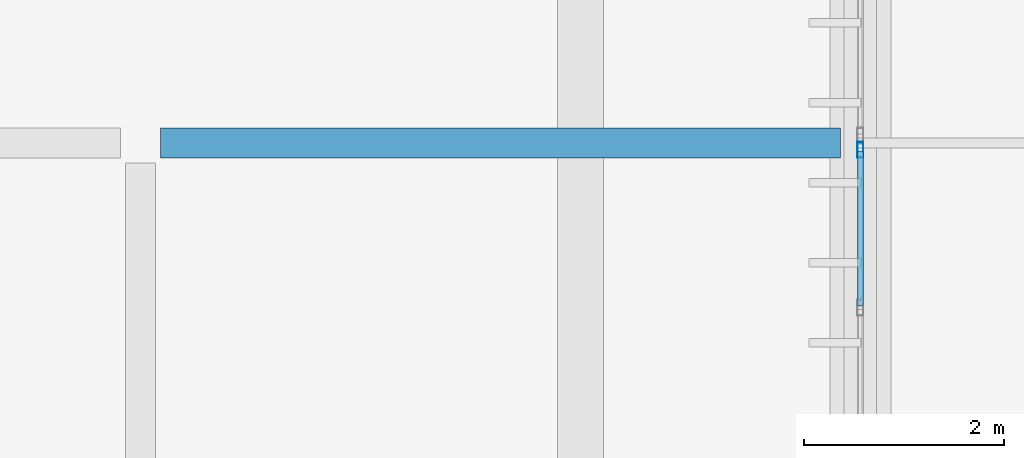
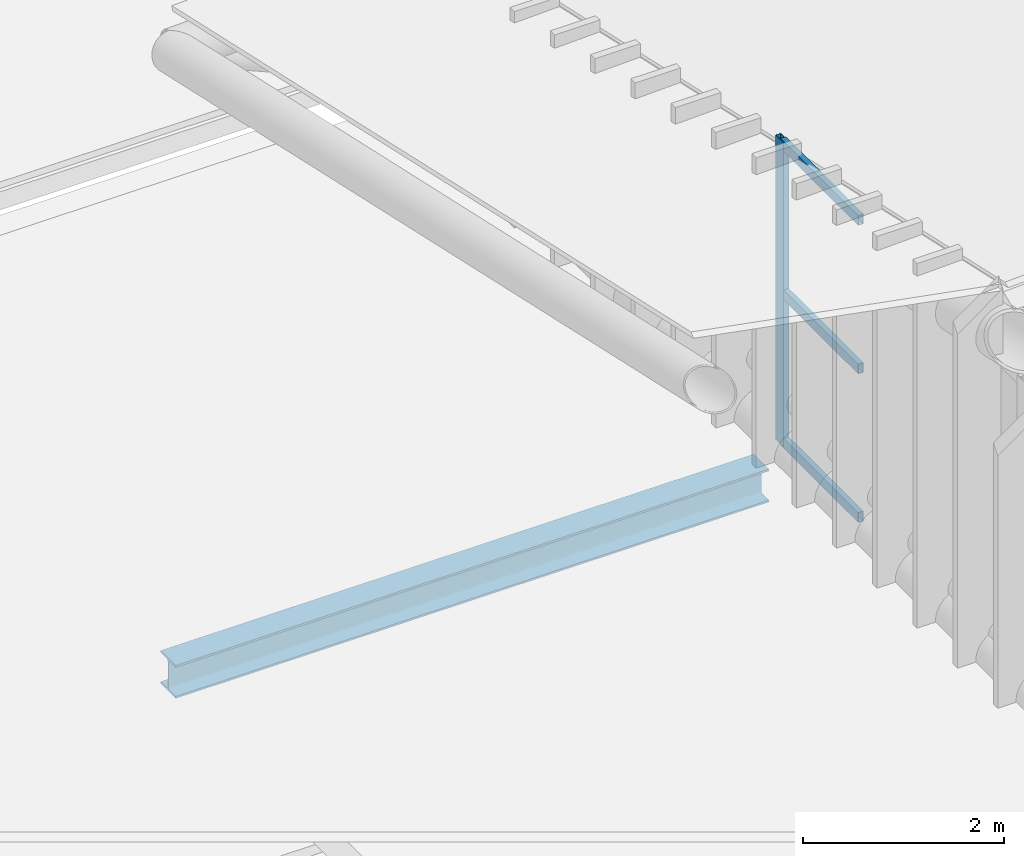
# One storey, part 213 of 397: 4 members, 1 beam, 1 element without a shape of its own.
"""IFC4 building model written with IfcOpenShell, lengths in metres."""

from ifc_helpers import new_model, si_unit, direction, frame, origin, origin_2d, place, context, subcontext, project, spatial, hollow_rectangle, i_section, extrude, material, material_profile, profile_set, type_object, element, aggregate, save


model = new_model("IFC4")

# Units and contexts
model_context = context("Model", 3, precision=1e-05, world=origin(), true_north=direction((0.0, 1.0)))
body_context = subcontext(model_context, "Body", "Model", "MODEL_VIEW")
ifc_project = project(units=[si_unit("LENGTHUNIT", "METRE"), si_unit("AREAUNIT", "SQUARE_METRE"), si_unit("VOLUMEUNIT", "CUBIC_METRE"), si_unit("PLANEANGLEUNIT", "RADIAN"), si_unit("MASSUNIT", "GRAM", prefix="KILO")], contexts=[model_context])

# Site, building, storey
site_placement = place(None, origin())
site = spatial("IfcSite", under=ifc_project, at=site_placement, CompositionType="ELEMENT")
building_placement = place(site_placement, origin())
building = spatial("IfcBuilding", under=site, at=building_placement, Name="Qandorah Velis Arena", CompositionType="ELEMENT")
storey_placement = place(building_placement, frame((0.0, 0.0, 27.5)))
storey = spatial("IfcBuildingStorey", under=building, at=storey_placement, Name="RF", CompositionType="ELEMENT", Elevation=27.5)

# Curtain wall, members
ifc_material_1 = material(Name="Solar-control low-E double glazing", Category="glass")
curtain_wall_type = type_object("IfcCurtainWallType", Name="ARC-CW-SYS07", PredefinedType="USERDEFINED", material=ifc_material_1)
curtain_wall_placement = place(storey_placement, origin())
curtain_wall = element("IfcCurtainWall", 1, at=curtain_wall_placement, inside=storey, type_object=curtain_wall_type, Name="Unitised curtain wall CROWN-1-07S1", ObjectType="UNITISED CURTAIN WALL", PredefinedType="USERDEFINED")
ifc_material_2 = material(Name="Champagne-bronze anodized aluminium 6063-T6", Category="aluminium")
ifc_material_profile_1 = material_profile(ifc_material_2, hollow_rectangle(XDim=0.06005859375, YDim=0.159912109375, WallThickness=0.00341796875, at=origin_2d()), Name="ALU MULLION 60x160")
ifc_profile_set_1 = profile_set([ifc_material_profile_1], Name="Champagne-bronze anodized aluminium 6063-T6")
member_type_1 = type_object("IfcMemberType", Name="ARC-CWM-160", PredefinedType="MULLION", material=ifc_profile_set_1)
member_1_placement = place(storey_placement, frame((14.39990234375, 107.929931640625, -0.014892578125), z_axis=(0.0, 0.0, 1.0), x_axis=(-1.0, 0.0, 0.0)))
member_1 = element("IfcMember", 2, at=member_1_placement, type_object=member_type_1, Name="CW07 mullion 5", PredefinedType="MULLION", context=body_context, shape_type="SweptSolid", body=[
    extrude(hollow_rectangle(XDim=0.06005859375, YDim=0.159912109375, WallThickness=0.00341796875, at=origin_2d()), origin(), (0.0, 0.0, 1.0), 3.6904296875),
])
ifc_material_profile_2 = material_profile(ifc_material_2, hollow_rectangle(XDim=0.06005859375, YDim=0.1201171875, WallThickness=0.0029296875, at=origin_2d()), Name="ALU TRANSOM 60x120")
ifc_profile_set_2 = profile_set([ifc_material_profile_2], Name="Champagne-bronze anodized aluminium 6063-T6")
member_type_2 = type_object("IfcMemberType", Name="ARC-CWT-120", PredefinedType="USERDEFINED", material=ifc_profile_set_2)
member_2_placement = place(storey_placement, frame((14.39990234375, 106.369140625, 0.030029296875), z_axis=(0.0, 1.0, 0.0), x_axis=(-1.0, 0.0, 0.0)))
member_2 = element("IfcMember", 3, at=member_2_placement, type_object=member_type_2, Name="CW07 transom 4.1", ObjectType="TRANSOM", PredefinedType="USERDEFINED", context=body_context, shape_type="SweptSolid", body=[
    extrude(hollow_rectangle(XDim=0.06005859375, YDim=0.1201171875, WallThickness=0.0029296875, at=origin_2d()), origin(), (0.0, 0.0, 1.0), 1.54296875),
])
member_3_placement = place(storey_placement, frame((14.39990234375, 106.369140625, 1.830078125), z_axis=(0.0, 1.0, 0.0), x_axis=(-1.0, 0.0, 0.0)))
member_3 = element("IfcMember", 4, at=member_3_placement, type_object=member_type_2, Name="CW07 transom 4.2", ObjectType="TRANSOM", PredefinedType="USERDEFINED", context=body_context, shape_type="SweptSolid", body=[
    extrude(hollow_rectangle(XDim=0.06005859375, YDim=0.1201171875, WallThickness=0.0029296875, at=origin_2d()), origin(), (0.0, 0.0, 1.0), 1.54296875),
])
member_4_placement = place(storey_placement, frame((14.39990234375, 106.369140625, 3.630615234375), z_axis=(0.0, 1.0, 0.0), x_axis=(-1.0, 0.0, 0.0)))
member_4 = element("IfcMember", 5, at=member_4_placement, type_object=member_type_2, Name="CW07 transom 4.3", ObjectType="TRANSOM", PredefinedType="USERDEFINED", context=body_context, shape_type="SweptSolid", body=[
    extrude(hollow_rectangle(XDim=0.06005859375, YDim=0.1201171875, WallThickness=0.0029296875, at=origin_2d()), origin(), (0.0, 0.0, 1.0), 1.54296875),
])
aggregate(curtain_wall, [member_1, member_2, member_3, member_4])

# Beam
ifc_material_3 = material(Name="Steel S355", Category="steel")
ifc_material_profile_3 = material_profile(ifc_material_3, i_section(OverallWidth=0.300048828125, OverallDepth=0.39990234375, WebThickness=0.013427734375, FlangeThickness=0.02392578125, FilletRadius=0.027099609375, at=origin_2d()), Name="HEB 400")
ifc_profile_set_3 = profile_set([ifc_material_profile_3], Name="Steel S355")
beam_type = type_object("IfcBeamType", Name="STR-BM-HEB400", PredefinedType="BEAM", material=ifc_profile_set_3)
beam_placement = place(storey_placement, frame((7.39990234375, 108.0, -0.419921875), z_axis=(1.0, 0.0, 0.0), x_axis=(0.0, 1.0, 0.0)))
element("IfcBeam", 6, at=beam_placement, inside=storey, type_object=beam_type, Name="Primary floor girder RF X-044", PredefinedType="BEAM", context=body_context, shape_type="SweptSolid", body=[
    extrude(i_section(OverallWidth=0.300048828125, OverallDepth=0.39990234375, WebThickness=0.013427734375, FlangeThickness=0.02392578125, FilletRadius=0.027099609375, at=origin_2d()), origin(), (0.0, 0.0, 1.0), 6.800048828125),
])

save(model, "model.ifc")
